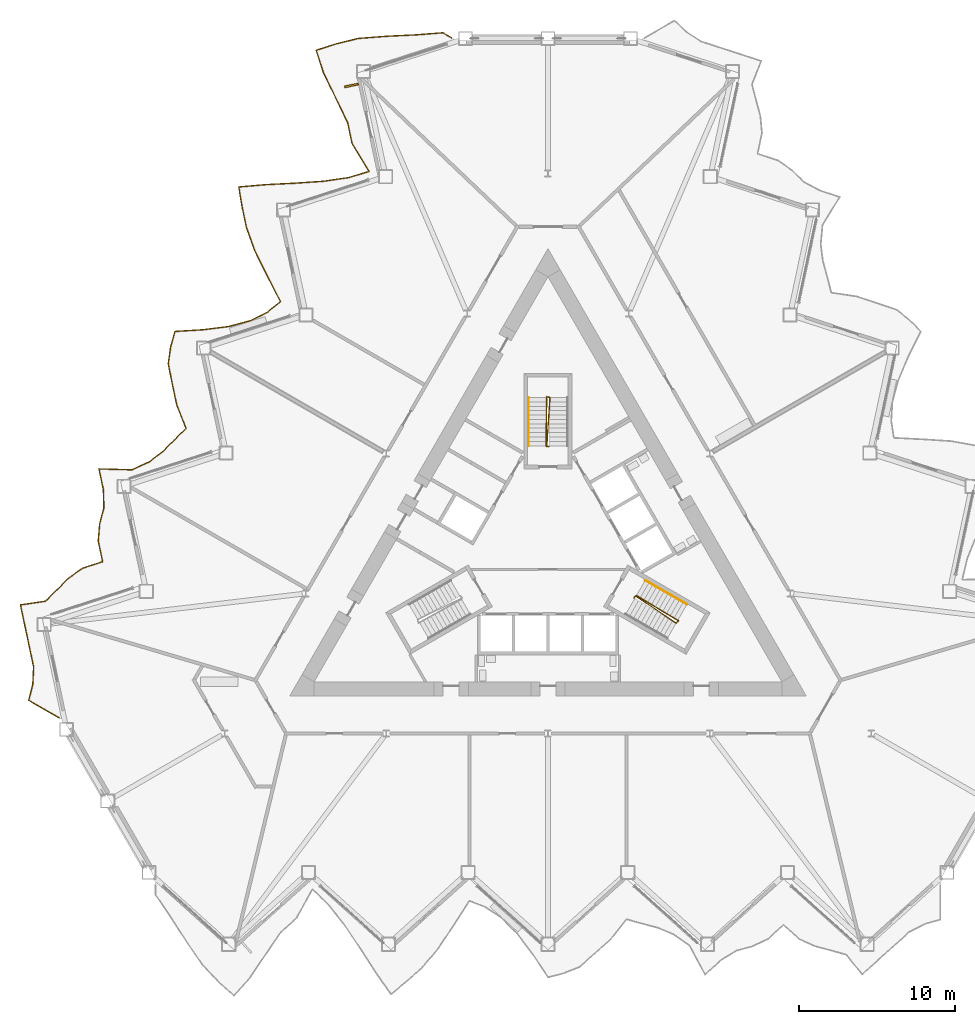
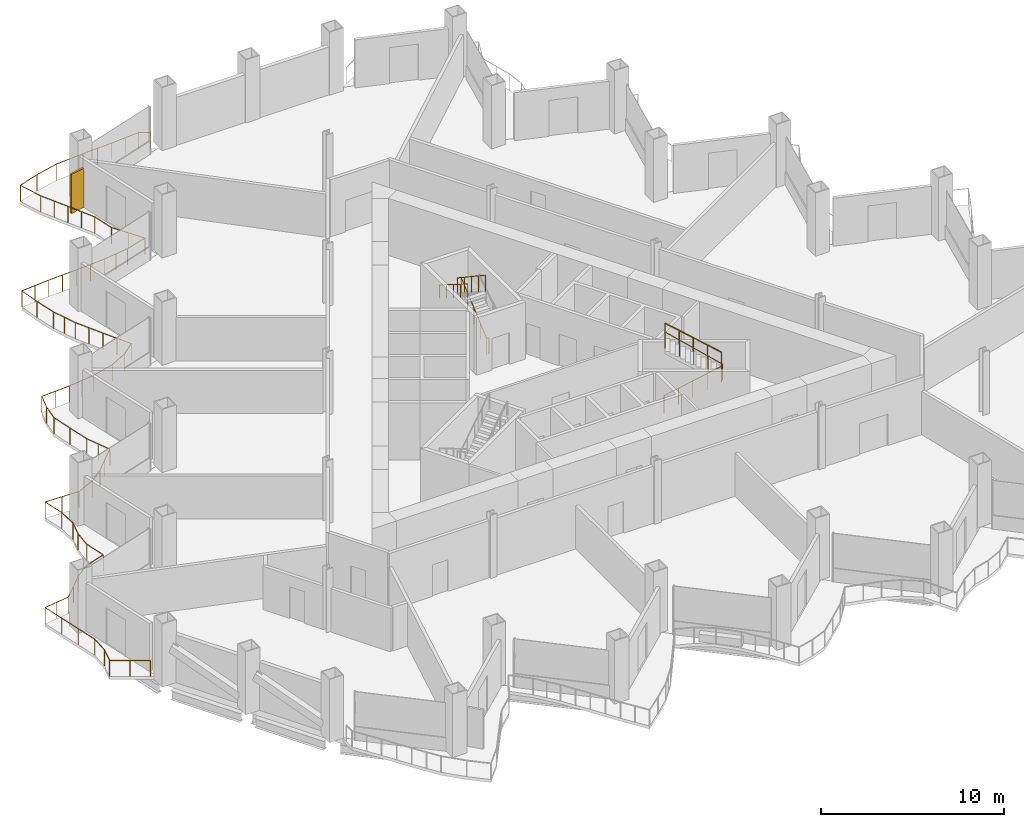
# One storey, part 18 of 21: 5 railings, 1 shading device.
"""IFC4 building model written with IfcOpenShell, lengths in metres."""

from ifc_helpers import new_model, si_unit, direction, frame, origin, origin_2d, place, context, subcontext, project, spatial, rectangle, circle, extrude, material, layer, layer_set, type_object, element, save


model = new_model("IFC4")

# Units and contexts
model_context = context("Model", 3, precision=1e-05, world=origin(), true_north=direction((0.0, 1.0)))
body_context = subcontext(model_context, "Body", "Model", "MODEL_VIEW")
ifc_project = project(units=[si_unit("LENGTHUNIT", "METRE"), si_unit("AREAUNIT", "SQUARE_METRE"), si_unit("VOLUMEUNIT", "CUBIC_METRE"), si_unit("PLANEANGLEUNIT", "RADIAN"), si_unit("MASSUNIT", "GRAM", prefix="KILO")], contexts=[model_context])

# Site, building, storey
site_placement = place(None, origin())
site = spatial("IfcSite", under=ifc_project, at=site_placement, CompositionType="ELEMENT")
building_placement = place(site_placement, origin())
building = spatial("IfcBuilding", under=site, at=building_placement, Name="Cormorant Prow Tower", CompositionType="ELEMENT")
storey_placement = place(building_placement, frame((0.0, 0.0, 120.60009765625)))
storey = spatial("IfcBuildingStorey", under=building, at=storey_placement, Name="L25", CompositionType="ELEMENT", Elevation=120.60009765625)

# Railings
ifc_material_1 = material(Name="Aluminium 6063-T6", Category="aluminium")
railing_type_1 = type_object("IfcRailingType", Name="Balcony guard 1100", PredefinedType="GUARDRAIL", material=ifc_material_1)
railing_1_placement = place(storey_placement, frame((-6.165771484375, 32.531494140625, 0.0)))
element("IfcRailing", 1, at=railing_1_placement, inside=storey, type_object=railing_type_1, Name="Balcony guard WNW", PredefinedType="GUARDRAIL", context=body_context, shape_type="SweptSolid", body=[
    extrude(circle(Radius=0.02392578125, at=origin_2d()), frame((0.0, 0.0, 1.076171875), z_axis=(-0.866038622153, 0.499977104415, 0.0), x_axis=(-0.499977104415, -0.866038622153, 0.0)), (0.0, 0.0, 1.0), 0.63623046875),
    extrude(circle(Radius=0.02392578125, at=origin_2d()), frame((-0.551025390625, 0.318115234375, 1.076171875), z_axis=(-0.997197009902, -0.074820608411, 0.0), x_axis=(0.074820608411, -0.997197009902, 0.0)), (0.0, 0.0, 1.0), 1.781494140625),
    extrude(circle(Radius=0.02392578125, at=origin_2d()), frame((-2.32763671875, 0.184814453125, 1.076171875), z_axis=(-0.998831498612, -0.048328432431, 0.0), x_axis=(0.048328432431, -0.998831498612, 0.0)), (0.0, 0.0, 1.0), 1.85400390625),
    extrude(circle(Radius=0.02392578125, at=origin_2d()), frame((-4.179443359375, 0.09521484375, 1.076171875), z_axis=(-0.99704396545, -0.076833137122, 0.0), x_axis=(0.076833137122, -0.99704396545, 0.0)), (0.0, 0.0, 1.0), 1.7763671875),
    extrude(circle(Radius=0.02392578125, at=origin_2d()), frame((-5.950439453125, -0.041259765625, 1.076171875), z_axis=(-0.971769655853, -0.235931634089, 0.0), x_axis=(0.235931634089, -0.971769655853, 0.0)), (0.0, 0.0, 1.0), 1.453857421875),
    extrude(circle(Radius=0.02392578125, at=origin_2d()), frame((-7.36328125, -0.38427734375, 1.076171875), z_axis=(-0.951024769283, -0.309114684561, 0.0), x_axis=(0.309114684561, -0.951024769283, 0.0)), (0.0, 0.0, 1.0), 1.3505859375),
    extrude(circle(Radius=0.02392578125, at=origin_2d()), frame((-8.647705078125, -0.8017578125, 1.076171875), z_axis=(0.3055170422, -0.952186608247, 0.0), x_axis=(0.952186608247, 0.3055170422, 0.0)), (0.0, 0.0, 1.0), 1.493408203125),
    extrude(circle(Radius=0.02392578125, at=origin_2d()), frame((-8.19140625, -2.223876953125, 1.076171875), z_axis=(0.437543121235, -0.899197429412, 0.0), x_axis=(0.899197429412, 0.437543121235, 0.0)), (0.0, 0.0, 1.0), 1.792236328125),
    extrude(circle(Radius=0.02392578125, at=origin_2d()), frame((-7.4072265625, -3.83544921875, 1.076171875), z_axis=(0.433168019328, -0.901313190312, 0.0), x_axis=(0.901313190312, 0.433168019328, 0.0)), (0.0, 0.0, 1.0), 1.77978515625),
    extrude(circle(Radius=0.02392578125, at=origin_2d()), frame((-6.63623046875, -5.439697265625, 1.076171875), z_axis=(0.208096604051, -0.978108277944, 0.0), x_axis=(0.978108277944, 0.208096604051, 0.0)), (0.0, 0.0, 1.0), 1.350341796875),
    extrude(circle(Radius=0.02392578125, at=origin_2d()), frame((-6.355224609375, -6.760498046875, 1.076171875), z_axis=(0.518892663885, -0.85483940209, 0.0), x_axis=(0.85483940209, 0.518892663885, 0.0)), (0.0, 0.0, 1.0), 2.087158203125),
    extrude(circle(Radius=0.02392578125, at=origin_2d()), frame((-5.272216796875, -8.544677734375, 1.076171875), z_axis=(-0.958431950317, -0.285321216546, 0.0), x_axis=(0.285321216546, -0.958431950317, 0.0)), (0.0, 0.0, 1.0), 1.3818359375),
    extrude(circle(Radius=0.02392578125, at=origin_2d()), frame((-6.5966796875, -8.93896484375, 1.076171875), z_axis=(-0.989725517262, -0.142980419921, 0.0), x_axis=(0.142980419921, -0.989725517262, 0.0)), (0.0, 0.0, 1.0), 1.6220703125),
    extrude(circle(Radius=0.02392578125, at=origin_2d()), frame((-8.2021484375, -9.1708984375, 1.076171875), z_axis=(-0.997739361196, -0.067202433888, 0.0), x_axis=(0.067202433888, -0.997739361196, 0.0)), (0.0, 0.0, 1.0), 1.802001953125),
    extrude(circle(Radius=0.02392578125, at=origin_2d()), frame((-10.0, -9.2919921875, 1.076171875), z_axis=(-0.998796334146, -0.049049800172, 0.0), x_axis=(0.049049800172, -0.998796334146, 0.0)), (0.0, 0.0, 1.0), 1.8515625),
    extrude(circle(Radius=0.02392578125, at=origin_2d()), frame((-11.849365234375, -9.3828125, 1.076171875), z_axis=(-0.996274491947, -0.0862388352, 0.0), x_axis=(0.0862388352, -0.996274491947, 0.0)), (0.0, 0.0, 1.0), 1.75244140625),
    extrude(circle(Radius=0.02392578125, at=origin_2d()), frame((-13.59521484375, -9.533935546875, 1.076171875), z_axis=(0.162018353955, -0.986787744645, 0.0), x_axis=(0.986787744645, 0.162018353955, 0.0)), (0.0, 0.0, 1.0), 1.29736328125),
    extrude(circle(Radius=0.02392578125, at=origin_2d()), frame((-13.385009765625, -10.814208984375, 1.076171875), z_axis=(0.207923627178, -0.978145063506, 0.0), x_axis=(0.978145063506, 0.207923627178, 0.0)), (0.0, 0.0, 1.0), 1.350341796875),
    extrude(circle(Radius=0.02392578125, at=origin_2d()), frame((-13.104248046875, -12.135009765625, 1.076171875), z_axis=(0.337063995154, -0.941481738097, 0.0), x_axis=(0.941481738097, 0.337063995154, 0.0)), (0.0, 0.0, 1.0), 1.551513671875),
    extrude(circle(Radius=0.02392578125, at=origin_2d()), frame((-12.581298828125, -13.595703125, 1.076171875), z_axis=(0.44375940405, -0.896145965408, 0.0), x_axis=(0.896145965408, 0.44375940405, 0.0)), (0.0, 0.0, 1.0), 1.81103515625),
    extrude(circle(Radius=0.02392578125, at=origin_2d()), frame((-11.777587890625, -15.21875, 1.076171875), z_axis=(0.456011061651, -0.889974107293, 0.0), x_axis=(0.889974107293, 0.456011061651, 0.0)), (0.0, 0.0, 1.0), 1.84912109375),
    extrude(circle(Radius=0.02392578125, at=origin_2d()), frame((-10.934326171875, -16.864501953125, 1.076171875), z_axis=(-0.778026512451, -0.628231442959, 0.0), x_axis=(0.628231442959, -0.778026512451, 0.0)), (0.0, 0.0, 1.0), 1.07568359375),
    extrude(circle(Radius=0.02392578125, at=origin_2d()), frame((-11.771240234375, -17.540283203125, 1.076171875), z_axis=(-0.894061222795, -0.447944784427, 0.0), x_axis=(0.447944784427, -0.894061222795, 0.0)), (0.0, 0.0, 1.0), 1.20166015625),
    extrude(circle(Radius=0.02392578125, at=origin_2d()), frame((-12.845703125, -18.07861328125, 1.076171875), z_axis=(-0.965785035107, -0.259343914452, 0.0), x_axis=(0.259343914452, -0.965785035107, 0.0)), (0.0, 0.0, 1.0), 1.418701171875),
    extrude(circle(Radius=0.02392578125, at=origin_2d()), frame((-14.2158203125, -18.446533203125, 1.076171875), z_axis=(-0.991847762911, -0.127428470952, 0.0), x_axis=(0.127428470952, -0.991847762911, 0.0)), (0.0, 0.0, 1.0), 1.6552734375),
    extrude(circle(Radius=0.02392578125, at=origin_2d()), frame((-15.857666015625, -18.657470703125, 1.076171875), z_axis=(-0.998158167324, -0.060665253682, 0.0), x_axis=(0.060665253682, -0.998158167324, 0.0)), (0.0, 0.0, 1.0), 1.819091796875),
    extrude(circle(Radius=0.02392578125, at=origin_2d()), frame((-17.67333984375, -18.767822265625, 1.076171875), z_axis=(-0.268554992367, -0.963264354201, 0.0), x_axis=(0.963264354201, -0.268554992367, 0.0)), (0.0, 0.0, 1.0), 1.036376953125),
    extrude(circle(Radius=0.02392578125, at=origin_2d()), frame((-17.95166015625, -19.76611328125, 1.076171875), z_axis=(-0.141073741819, -0.98999909059, 0.0), x_axis=(0.98999909059, -0.141073741819, 0.0)), (0.0, 0.0, 1.0), 1.08154296875),
    extrude(circle(Radius=0.02392578125, at=origin_2d()), frame((-18.104248046875, -20.8369140625, 1.076171875), z_axis=(0.196677999947, -0.980468135299, 0.0), x_axis=(0.980468135299, 0.196677999947, 0.0)), (0.0, 0.0, 1.0), 1.3369140625),
    extrude(circle(Radius=0.02392578125, at=origin_2d()), frame((-17.84130859375, -22.147705078125, 1.076171875), z_axis=(0.207923627178, -0.978145063506, 0.0), x_axis=(0.978145063506, 0.207923627178, 0.0)), (0.0, 0.0, 1.0), 1.350341796875),
    extrude(circle(Radius=0.02392578125, at=origin_2d()), frame((-17.560546875, -23.468505859375, 1.076171875), z_axis=(0.367686255575, -0.929949900511, 0.0), x_axis=(0.929949900511, 0.367686255575, 0.0)), (0.0, 0.0, 1.0), 1.61474609375),
    extrude(circle(Radius=0.02392578125, at=origin_2d()), frame((-16.966796875, -24.97021484375, 1.076171875), z_axis=(-0.715141961491, -0.698979237828, 0.0), x_axis=(0.698979237828, -0.715141961491, 0.0)), (0.0, 0.0, 1.0), 1.042236328125),
    extrude(circle(Radius=0.02392578125, at=origin_2d()), frame((-17.712158203125, -25.69873046875, 1.076171875), z_axis=(-0.703331850344, -0.710861666072, 0.0), x_axis=(0.710861666072, -0.703331850344, 0.0)), (0.0, 0.0, 1.0), 1.03759765625),
    extrude(circle(Radius=0.02392578125, at=origin_2d()), frame((-18.44189453125, -26.436279296875, 1.076171875), z_axis=(-0.796080060721, -0.605191322577, 0.0), x_axis=(0.605191322577, -0.796080060721, 0.0)), (0.0, 0.0, 1.0), 1.08837890625),
    extrude(circle(Radius=0.02392578125, at=origin_2d()), frame((-19.308349609375, -27.094970703125, 1.076171875), z_axis=(-0.908707369925, -0.417433726289, 0.0), x_axis=(0.417433726289, -0.908707369925, 0.0)), (0.0, 0.0, 1.0), 1.22998046875),
    extrude(circle(Radius=0.02392578125, at=origin_2d()), frame((-20.426025390625, -27.6083984375, 1.076171875), z_axis=(-0.999629367676, 0.027223652961, 0.0), x_axis=(-0.027223652961, -0.999629367676, 0.0)), (0.0, 0.0, 1.0), 2.107421875),
    extrude(circle(Radius=0.02392578125, at=origin_2d()), frame((-22.53271484375, -27.551025390625, 1.076171875), z_axis=(0.208059810937, -0.978116105109, 0.0), x_axis=(0.978116105109, 0.208059810937, 0.0)), (0.0, 0.0, 1.0), 1.3505859375),
    extrude(circle(Radius=0.02392578125, at=origin_2d()), frame((-22.251708984375, -28.8720703125, 1.076171875), z_axis=(0.029192193085, -0.999573817116, 0.0), x_axis=(0.999573817116, 0.029192193085, 0.0)), (0.0, 0.0, 1.0), 1.17919921875),
    extrude(circle(Radius=0.02392578125, at=origin_2d()), frame((-22.21728515625, -30.05078125, 1.076171875), z_axis=(-0.258422924917, -0.966031879328, 0.0), x_axis=(0.966031879328, -0.258422924917, 0.0)), (0.0, 0.0, 1.0), 1.039306640625),
    extrude(circle(Radius=0.02392578125, at=origin_2d()), frame((-22.48583984375, -31.0546875, 1.076171875), z_axis=(-0.083646627438, -0.996495480029, 0.0), x_axis=(0.996495480029, -0.083646627438, 0.0)), (0.0, 0.0, 1.0), 1.109130859375),
    extrude(circle(Radius=0.02392578125, at=origin_2d()), frame((-22.57861328125, -32.159912109375, 1.076171875), z_axis=(0.207886861883, -0.978152877957, 0.0), x_axis=(0.978152877957, 0.207886861883, 0.0)), (0.0, 0.0, 1.0), 1.3505859375),
    extrude(circle(Radius=0.02392578125, at=origin_2d()), frame((-22.2978515625, -33.48095703125, 1.076171875), z_axis=(-0.951077899841, -0.308951174839, 0.0), x_axis=(0.308951174839, -0.951077899841, 0.0)), (0.0, 0.0, 1.0), 1.3505859375),
    extrude(circle(Radius=0.02392578125, at=origin_2d()), frame((-23.582275390625, -33.898193359375, 1.076171875), z_axis=(-0.813119408245, -0.582096923146, 0.0), x_axis=(0.582096923146, -0.813119408245, 0.0)), (0.0, 0.0, 1.0), 1.102294921875),
    extrude(circle(Radius=0.02392578125, at=origin_2d()), frame((-24.478515625, -34.539794921875, 1.076171875), z_axis=(-0.705812471331, -0.708398726223, 0.0), x_axis=(0.708398726223, -0.705812471331, 0.0)), (0.0, 0.0, 1.0), 1.038330078125),
    extrude(circle(Radius=0.02392578125, at=origin_2d()), frame((-25.21142578125, -35.275390625, 1.076171875), z_axis=(-0.71201463204, -0.702164627249, 0.0), x_axis=(0.702164627249, -0.71201463204, 0.0)), (0.0, 0.0, 1.0), 1.041015625),
    extrude(circle(Radius=0.02392578125, at=origin_2d()), frame((-25.95263671875, -36.00634765625, 1.076171875), z_axis=(-0.989239139554, -0.146307637447, 0.0), x_axis=(0.146307637447, -0.989239139554, 0.0)), (0.0, 0.0, 1.0), 1.615234375),
    extrude(circle(Radius=0.02392578125, at=origin_2d()), frame((-27.550537109375, -36.24267578125, 1.076171875), z_axis=(0.207923627178, -0.978145063506, 0.0), x_axis=(0.978145063506, 0.207923627178, 0.0)), (0.0, 0.0, 1.0), 1.350341796875),
    extrude(circle(Radius=0.02392578125, at=origin_2d()), frame((-27.269775390625, -37.5634765625, 1.076171875), z_axis=(0.207886861883, -0.978152877957, 0.0), x_axis=(0.978152877957, 0.207886861883, 0.0)), (0.0, 0.0, 1.0), 1.3505859375),
    extrude(circle(Radius=0.02392578125, at=origin_2d()), frame((-26.989013671875, -38.884521484375, 1.076171875), z_axis=(0.207886861883, -0.978152877957, 0.0), x_axis=(0.978152877957, 0.207886861883, 0.0)), (0.0, 0.0, 1.0), 1.3505859375),
    extrude(circle(Radius=0.02392578125, at=origin_2d()), frame((-26.708251953125, -40.20556640625, 1.076171875), z_axis=(-0.046897714025, -0.998899696876, 0.0), x_axis=(0.998899696876, -0.046897714025, 0.0)), (0.0, 0.0, 1.0), 1.129638671875),
    extrude(circle(Radius=0.02392578125, at=origin_2d()), frame((-26.76123046875, -41.333984375, 1.076171875), z_axis=(-0.244848201654, -0.96956142567, 0.0), x_axis=(0.96956142567, -0.244848201654, 0.0)), (0.0, 0.0, 1.0), 1.04296875),
    extrude(circle(Radius=0.02392578125, at=origin_2d()), frame((-27.0166015625, -42.34521484375, 1.076171875), z_axis=(0.866019272134, -0.50001062018, 0.0), x_axis=(0.50001062018, 0.866019272134, 0.0)), (0.0, 0.0, 1.0), 2.224609375),
    extrude(circle(Radius=0.02099609375, at=origin_2d()), origin(), (0.0, 0.0, 1.0), 1.052001953125),
    extrude(circle(Radius=0.02099609375, at=origin_2d()), frame((-0.551025390625, 0.318115234375, 0.0)), (0.0, 0.0, 1.0), 1.052001953125),
    extrude(circle(Radius=0.02099609375, at=origin_2d()), frame((-1.439453125, 0.25146484375, 0.0)), (0.0, 0.0, 1.0), 1.052001953125),
    extrude(circle(Radius=0.02099609375, at=origin_2d()), frame((-2.32763671875, 0.184814453125, 0.0)), (0.0, 0.0, 1.0), 1.052001953125),
    extrude(circle(Radius=0.02099609375, at=origin_2d()), frame((-3.25341796875, 0.14013671875, 0.0)), (0.0, 0.0, 1.0), 1.052001953125),
    extrude(circle(Radius=0.02099609375, at=origin_2d()), frame((-4.179443359375, 0.09521484375, 0.0)), (0.0, 0.0, 1.0), 1.052001953125),
    extrude(circle(Radius=0.02099609375, at=origin_2d()), frame((-5.06494140625, 0.02685546875, 0.0)), (0.0, 0.0, 1.0), 1.052001953125),
    extrude(circle(Radius=0.02099609375, at=origin_2d()), frame((-5.950439453125, -0.041259765625, 0.0)), (0.0, 0.0, 1.0), 1.052001953125),
    extrude(circle(Radius=0.02099609375, at=origin_2d()), frame((-7.36328125, -0.38427734375, 0.0)), (0.0, 0.0, 1.0), 1.052001953125),
    extrude(circle(Radius=0.02099609375, at=origin_2d()), frame((-8.647705078125, -0.8017578125, 0.0)), (0.0, 0.0, 1.0), 1.052001953125),
    extrude(circle(Radius=0.02099609375, at=origin_2d()), frame((-8.19140625, -2.223876953125, 0.0)), (0.0, 0.0, 1.0), 1.052001953125),
    extrude(circle(Radius=0.02099609375, at=origin_2d()), frame((-7.79931640625, -3.02978515625, 0.0)), (0.0, 0.0, 1.0), 1.052001953125),
    extrude(circle(Radius=0.02099609375, at=origin_2d()), frame((-7.4072265625, -3.83544921875, 0.0)), (0.0, 0.0, 1.0), 1.052001953125),
    extrude(circle(Radius=0.02099609375, at=origin_2d()), frame((-7.021728515625, -4.6376953125, 0.0)), (0.0, 0.0, 1.0), 1.052001953125),
    extrude(circle(Radius=0.02099609375, at=origin_2d()), frame((-6.63623046875, -5.439697265625, 0.0)), (0.0, 0.0, 1.0), 1.052001953125),
    extrude(circle(Radius=0.02099609375, at=origin_2d()), frame((-6.355224609375, -6.760498046875, 0.0)), (0.0, 0.0, 1.0), 1.052001953125),
    extrude(circle(Radius=0.02099609375, at=origin_2d()), frame((-5.813720703125, -7.652587890625, 0.0)), (0.0, 0.0, 1.0), 1.052001953125),
    extrude(circle(Radius=0.02099609375, at=origin_2d()), frame((-5.272216796875, -8.544677734375, 0.0)), (0.0, 0.0, 1.0), 1.052001953125),
    extrude(circle(Radius=0.02099609375, at=origin_2d()), frame((-6.5966796875, -8.93896484375, 0.0)), (0.0, 0.0, 1.0), 1.052001953125),
    extrude(circle(Radius=0.02099609375, at=origin_2d()), frame((-7.3994140625, -9.054931640625, 0.0)), (0.0, 0.0, 1.0), 1.052001953125),
    extrude(circle(Radius=0.02099609375, at=origin_2d()), frame((-8.2021484375, -9.1708984375, 0.0)), (0.0, 0.0, 1.0), 1.052001953125),
    extrude(circle(Radius=0.02099609375, at=origin_2d()), frame((-9.10107421875, -9.2314453125, 0.0)), (0.0, 0.0, 1.0), 1.052001953125),
    extrude(circle(Radius=0.02099609375, at=origin_2d()), frame((-10.0, -9.2919921875, 0.0)), (0.0, 0.0, 1.0), 1.052001953125),
    extrude(circle(Radius=0.02099609375, at=origin_2d()), frame((-10.9248046875, -9.33740234375, 0.0)), (0.0, 0.0, 1.0), 1.052001953125),
    extrude(circle(Radius=0.02099609375, at=origin_2d()), frame((-11.849365234375, -9.3828125, 0.0)), (0.0, 0.0, 1.0), 1.052001953125),
    extrude(circle(Radius=0.02099609375, at=origin_2d()), frame((-12.72216796875, -9.45849609375, 0.0)), (0.0, 0.0, 1.0), 1.052001953125),
    extrude(circle(Radius=0.02099609375, at=origin_2d()), frame((-13.59521484375, -9.533935546875, 0.0)), (0.0, 0.0, 1.0), 1.052001953125),
    extrude(circle(Radius=0.02099609375, at=origin_2d()), frame((-13.385009765625, -10.814208984375, 0.0)), (0.0, 0.0, 1.0), 1.052001953125),
    extrude(circle(Radius=0.02099609375, at=origin_2d()), frame((-13.104248046875, -12.135009765625, 0.0)), (0.0, 0.0, 1.0), 1.052001953125),
    extrude(circle(Radius=0.02099609375, at=origin_2d()), frame((-12.8427734375, -12.865234375, 0.0)), (0.0, 0.0, 1.0), 1.052001953125),
    extrude(circle(Radius=0.02099609375, at=origin_2d()), frame((-12.581298828125, -13.595703125, 0.0)), (0.0, 0.0, 1.0), 1.052001953125),
    extrude(circle(Radius=0.02099609375, at=origin_2d()), frame((-12.179443359375, -14.4072265625, 0.0)), (0.0, 0.0, 1.0), 1.052001953125),
    extrude(circle(Radius=0.02099609375, at=origin_2d()), frame((-11.777587890625, -15.21875, 0.0)), (0.0, 0.0, 1.0), 1.052001953125),
    extrude(circle(Radius=0.02099609375, at=origin_2d()), frame((-11.35595703125, -16.04150390625, 0.0)), (0.0, 0.0, 1.0), 1.052001953125),
    extrude(circle(Radius=0.02099609375, at=origin_2d()), frame((-10.934326171875, -16.864501953125, 0.0)), (0.0, 0.0, 1.0), 1.052001953125),
    extrude(circle(Radius=0.02099609375, at=origin_2d()), frame((-11.771240234375, -17.540283203125, 0.0)), (0.0, 0.0, 1.0), 1.052001953125),
    extrude(circle(Radius=0.02099609375, at=origin_2d()), frame((-12.845703125, -18.07861328125, 0.0)), (0.0, 0.0, 1.0), 1.052001953125),
    extrude(circle(Radius=0.02099609375, at=origin_2d()), frame((-14.2158203125, -18.446533203125, 0.0)), (0.0, 0.0, 1.0), 1.052001953125),
    extrude(circle(Radius=0.02099609375, at=origin_2d()), frame((-15.03662109375, -18.552001953125, 0.0)), (0.0, 0.0, 1.0), 1.052001953125),
    extrude(circle(Radius=0.02099609375, at=origin_2d()), frame((-15.857666015625, -18.657470703125, 0.0)), (0.0, 0.0, 1.0), 1.052001953125),
    extrude(circle(Radius=0.02099609375, at=origin_2d()), frame((-16.765625, -18.712646484375, 0.0)), (0.0, 0.0, 1.0), 1.052001953125),
    extrude(circle(Radius=0.02099609375, at=origin_2d()), frame((-17.67333984375, -18.767822265625, 0.0)), (0.0, 0.0, 1.0), 1.052001953125),
    extrude(circle(Radius=0.02099609375, at=origin_2d()), frame((-17.95166015625, -19.76611328125, 0.0)), (0.0, 0.0, 1.0), 1.052001953125),
    extrude(circle(Radius=0.02099609375, at=origin_2d()), frame((-18.104248046875, -20.8369140625, 0.0)), (0.0, 0.0, 1.0), 1.052001953125),
    extrude(circle(Radius=0.02099609375, at=origin_2d()), frame((-17.84130859375, -22.147705078125, 0.0)), (0.0, 0.0, 1.0), 1.052001953125),
    extrude(circle(Radius=0.02099609375, at=origin_2d()), frame((-17.560546875, -23.468505859375, 0.0)), (0.0, 0.0, 1.0), 1.052001953125),
    extrude(circle(Radius=0.02099609375, at=origin_2d()), frame((-17.263671875, -24.21923828125, 0.0)), (0.0, 0.0, 1.0), 1.052001953125),
    extrude(circle(Radius=0.02099609375, at=origin_2d()), frame((-16.966796875, -24.97021484375, 0.0)), (0.0, 0.0, 1.0), 1.052001953125),
    extrude(circle(Radius=0.02099609375, at=origin_2d()), frame((-17.712158203125, -25.69873046875, 0.0)), (0.0, 0.0, 1.0), 1.052001953125),
    extrude(circle(Radius=0.02099609375, at=origin_2d()), frame((-18.44189453125, -26.436279296875, 0.0)), (0.0, 0.0, 1.0), 1.052001953125),
    extrude(circle(Radius=0.02099609375, at=origin_2d()), frame((-19.308349609375, -27.094970703125, 0.0)), (0.0, 0.0, 1.0), 1.052001953125),
    extrude(circle(Radius=0.02099609375, at=origin_2d()), frame((-20.426025390625, -27.6083984375, 0.0)), (0.0, 0.0, 1.0), 1.052001953125),
    extrude(circle(Radius=0.02099609375, at=origin_2d()), frame((-21.4794921875, -27.57958984375, 0.0)), (0.0, 0.0, 1.0), 1.052001953125),
    extrude(circle(Radius=0.02099609375, at=origin_2d()), frame((-22.53271484375, -27.551025390625, 0.0)), (0.0, 0.0, 1.0), 1.052001953125),
    extrude(circle(Radius=0.02099609375, at=origin_2d()), frame((-22.251708984375, -28.8720703125, 0.0)), (0.0, 0.0, 1.0), 1.052001953125),
    extrude(circle(Radius=0.02099609375, at=origin_2d()), frame((-22.21728515625, -30.05078125, 0.0)), (0.0, 0.0, 1.0), 1.052001953125),
    extrude(circle(Radius=0.02099609375, at=origin_2d()), frame((-22.48583984375, -31.0546875, 0.0)), (0.0, 0.0, 1.0), 1.052001953125),
    extrude(circle(Radius=0.02099609375, at=origin_2d()), frame((-22.57861328125, -32.159912109375, 0.0)), (0.0, 0.0, 1.0), 1.052001953125),
    extrude(circle(Radius=0.02099609375, at=origin_2d()), frame((-22.2978515625, -33.48095703125, 0.0)), (0.0, 0.0, 1.0), 1.052001953125),
    extrude(circle(Radius=0.02099609375, at=origin_2d()), frame((-23.582275390625, -33.898193359375, 0.0)), (0.0, 0.0, 1.0), 1.052001953125),
    extrude(circle(Radius=0.02099609375, at=origin_2d()), frame((-24.478515625, -34.539794921875, 0.0)), (0.0, 0.0, 1.0), 1.052001953125),
    extrude(circle(Radius=0.02099609375, at=origin_2d()), frame((-25.21142578125, -35.275390625, 0.0)), (0.0, 0.0, 1.0), 1.052001953125),
    extrude(circle(Radius=0.02099609375, at=origin_2d()), frame((-25.95263671875, -36.00634765625, 0.0)), (0.0, 0.0, 1.0), 1.052001953125),
    extrude(circle(Radius=0.02099609375, at=origin_2d()), frame((-26.75146484375, -36.12451171875, 0.0)), (0.0, 0.0, 1.0), 1.052001953125),
    extrude(circle(Radius=0.02099609375, at=origin_2d()), frame((-27.550537109375, -36.24267578125, 0.0)), (0.0, 0.0, 1.0), 1.052001953125),
    extrude(circle(Radius=0.02099609375, at=origin_2d()), frame((-27.269775390625, -37.5634765625, 0.0)), (0.0, 0.0, 1.0), 1.052001953125),
    extrude(circle(Radius=0.02099609375, at=origin_2d()), frame((-26.989013671875, -38.884521484375, 0.0)), (0.0, 0.0, 1.0), 1.052001953125),
    extrude(circle(Radius=0.02099609375, at=origin_2d()), frame((-26.708251953125, -40.20556640625, 0.0)), (0.0, 0.0, 1.0), 1.052001953125),
    extrude(circle(Radius=0.02099609375, at=origin_2d()), frame((-26.76123046875, -41.333984375, 0.0)), (0.0, 0.0, 1.0), 1.052001953125),
    extrude(circle(Radius=0.02099609375, at=origin_2d()), frame((-27.0166015625, -42.34521484375, 0.0)), (0.0, 0.0, 1.0), 1.052001953125),
    extrude(circle(Radius=0.02099609375, at=origin_2d()), frame((-26.05322265625, -42.9013671875, 0.0)), (0.0, 0.0, 1.0), 1.052001953125),
    extrude(circle(Radius=0.02099609375, at=origin_2d()), frame((-25.090087890625, -43.45751953125, 0.0)), (0.0, 0.0, 1.0), 1.052001953125),
])
ifc_material_2 = material(Name="Stainless steel", Category="steel")
railing_type_2 = type_object("IfcRailingType", Name="Stair guard 1100", PredefinedType="GUARDRAIL", material=ifc_material_2)
railing_2_placement = place(storey_placement, frame((5.510009765625, -3.267822265625, 0.0)))
element("IfcRailing", 2, at=railing_2_placement, inside=storey, type_object=railing_type_2, Name="L25 ST2 stair guard 1", PredefinedType="GUARDRAIL", context=body_context, shape_type="SweptSolid", body=[
    extrude(circle(Radius=0.02392578125, at=origin_2d()), frame((0.0, 0.0, 1.076171875), z_axis=(0.501036270542, 0.865426285481, 0.0), x_axis=(-0.865426285481, 0.501036270542, 0.0)), (0.0, 0.0, 1.0), 0.150146484375),
    extrude(circle(Radius=0.02392578125, at=origin_2d()), frame((0.0751953125, 0.1298828125, 1.076171875), z_axis=(0.691655524431, -0.460543096787, 0.55633864824), x_axis=(0.554233058506, 0.832361530141, 0.0)), (0.0, 0.0, 1.0), 3.7744140625),
    extrude(circle(Radius=0.02392578125, at=origin_2d()), frame((2.685791015625, -1.6083984375, 3.17578125), z_axis=(0.695164929852, 0.718850276695, 0.0), x_axis=(-0.718850276695, 0.695164929852, 0.0)), (0.0, 0.0, 1.0), 0.2060546875),
    extrude(circle(Radius=0.02392578125, at=origin_2d()), frame((2.8291015625, -1.460205078125, 3.17578125), z_axis=(-0.712463317363, 0.426661970256, 0.557095669117), x_axis=(-0.513773053629, -0.857926132814, 0.0)), (0.0, 0.0, 1.0), 3.769775390625),
    extrude(circle(Radius=0.02099609375, at=origin_2d()), origin(), (0.0, 0.0, 1.0), 1.052001953125),
    extrude(circle(Radius=0.02099609375, at=origin_2d()), frame((0.0751953125, 0.1298828125, 0.0)), (0.0, 0.0, 1.0), 1.052001953125),
    extrude(circle(Radius=0.02099609375, at=origin_2d()), frame((0.727783203125, -0.3046875, 0.52490234375)), (0.0, 0.0, 1.0), 1.052001953125),
    extrude(circle(Radius=0.02099609375, at=origin_2d()), frame((1.38037109375, -0.7392578125, 1.0498046875)), (0.0, 0.0, 1.0), 1.052001953125),
    extrude(circle(Radius=0.02099609375, at=origin_2d()), frame((2.033203125, -1.173828125, 1.574951171875)), (0.0, 0.0, 1.0), 1.052001953125),
    extrude(circle(Radius=0.02099609375, at=origin_2d()), frame((2.685791015625, -1.6083984375, 2.099853515625)), (0.0, 0.0, 1.0), 1.052001953125),
    extrude(circle(Radius=0.02099609375, at=origin_2d()), frame((2.8291015625, -1.460205078125, 2.099853515625)), (0.0, 0.0, 1.0), 1.052001953125),
    extrude(circle(Radius=0.02099609375, at=origin_2d()), frame((2.15771484375, -1.05810546875, 2.625)), (0.0, 0.0, 1.0), 1.052001953125),
    extrude(circle(Radius=0.02099609375, at=origin_2d()), frame((1.486328125, -0.656005859375, 3.14990234375)), (0.0, 0.0, 1.0), 1.052001953125),
    extrude(circle(Radius=0.02099609375, at=origin_2d()), frame((0.814697265625, -0.25390625, 3.6748046875)), (0.0, 0.0, 1.0), 1.052001953125),
    extrude(circle(Radius=0.02099609375, at=origin_2d()), frame((0.143310546875, 0.148193359375, 4.199951171875)), (0.0, 0.0, 1.0), 1.052001953125),
])
railing_3_placement = place(storey_placement, frame((0.074951171875, 6.40576171875, 0.0)))
element("IfcRailing", 3, at=railing_3_placement, inside=storey, type_object=railing_type_2, Name="L25 ST3 stair guard 1", PredefinedType="GUARDRAIL", context=body_context, shape_type="SweptSolid", body=[
    extrude(circle(Radius=0.02392578125, at=origin_2d()), frame((0.0, 0.0, 1.076171875), z_axis=(-1.0, 0.0, 0.0), x_axis=(0.0, -1.0, 0.0)), (0.0, 0.0, 1.0), 0.14990234375),
    extrude(circle(Radius=0.02392578125, at=origin_2d()), frame((-0.14990234375, 0.0, 1.076171875), z_axis=(0.052973824345, 0.829276437025, 0.556322177276), x_axis=(-0.997965923181, 0.063749636618, 0.0)), (0.0, 0.0, 1.0), 3.7744140625),
    extrude(circle(Radius=0.02392578125, at=origin_2d()), frame((0.050048828125, 3.130126953125, 3.17578125), z_axis=(-0.970072785993, 0.242814311512, 0.0), x_axis=(-0.242814311512, -0.970072785993, 0.0)), (0.0, 0.0, 1.0), 0.2060546875),
    extrude(circle(Radius=0.02392578125, at=origin_2d()), frame((-0.14990234375, 3.18017578125, 3.17578125), z_axis=(-0.013276620939, -0.830339302729, 0.557099967403), x_axis=(0.999872194171, -0.015987348866, 0.0)), (0.0, 0.0, 1.0), 3.769775390625),
    extrude(circle(Radius=0.02099609375, at=origin_2d()), origin(), (0.0, 0.0, 1.0), 1.052001953125),
    extrude(circle(Radius=0.02099609375, at=origin_2d()), frame((-0.14990234375, 0.0, 0.0)), (0.0, 0.0, 1.0), 1.052001953125),
    extrude(circle(Radius=0.02099609375, at=origin_2d()), frame((-0.099853515625, 0.782470703125, 0.52490234375)), (0.0, 0.0, 1.0), 1.052001953125),
    extrude(circle(Radius=0.02099609375, at=origin_2d()), frame((-0.0498046875, 1.56494140625, 1.0498046875)), (0.0, 0.0, 1.0), 1.052001953125),
    extrude(circle(Radius=0.02099609375, at=origin_2d()), frame((0.0, 2.34765625, 1.574951171875)), (0.0, 0.0, 1.0), 1.052001953125),
    extrude(circle(Radius=0.02099609375, at=origin_2d()), frame((0.050048828125, 3.130126953125, 2.099853515625)), (0.0, 0.0, 1.0), 1.052001953125),
    extrude(circle(Radius=0.02099609375, at=origin_2d()), frame((-0.14990234375, 3.18017578125, 2.099853515625)), (0.0, 0.0, 1.0), 1.052001953125),
    extrude(circle(Radius=0.02099609375, at=origin_2d()), frame((-0.162353515625, 2.397705078125, 2.625)), (0.0, 0.0, 1.0), 1.052001953125),
    extrude(circle(Radius=0.02099609375, at=origin_2d()), frame((-0.1748046875, 1.615234375, 3.14990234375)), (0.0, 0.0, 1.0), 1.052001953125),
    extrude(circle(Radius=0.02099609375, at=origin_2d()), frame((-0.1875, 0.83251953125, 3.6748046875)), (0.0, 0.0, 1.0), 1.052001953125),
    extrude(circle(Radius=0.02099609375, at=origin_2d()), frame((-0.199951171875, 0.050048828125, 4.199951171875)), (0.0, 0.0, 1.0), 1.052001953125),
])
ifc_material_3 = material(Name="Stainless steel", Category="steel")
railing_type_3 = type_object("IfcRailingType", Name="Stair handrail 900", PredefinedType="HANDRAIL", material=ifc_material_3)
railing_4_placement = place(storey_placement, frame((8.88037109375, -3.690673828125, 2.27490234375)))
element("IfcRailing", 4, at=railing_4_placement, inside=storey, type_object=railing_type_3, Name="L25 ST2 stair handrail 2", PredefinedType="HANDRAIL", context=body_context, shape_type="SweptSolid", body=[
    extrude(circle(Radius=0.02392578125, at=origin_2d()), frame((0.0, 0.0, 0.8759765625), z_axis=(-0.734394994316, 0.423994474112, 0.52999309264), x_axis=(-0.499992328818, -0.866029832698, 0.0)), (0.0, 0.0, 1.0), 3.63232421875),
    extrude(circle(Radius=0.02099609375, at=origin_2d()), origin(), (0.0, 0.0, 1.0), 0.851806640625),
    extrude(circle(Radius=0.02099609375, at=origin_2d()), frame((-0.6669921875, 0.385009765625, 0.481201171875)), (0.0, 0.0, 1.0), 0.851806640625),
    extrude(circle(Radius=0.02099609375, at=origin_2d()), frame((-1.333740234375, 0.77001953125, 0.96240234375)), (0.0, 0.0, 1.0), 0.851806640625),
    extrude(circle(Radius=0.02099609375, at=origin_2d()), frame((-2.00048828125, 1.155029296875, 1.44384765625)), (0.0, 0.0, 1.0), 0.851806640625),
    extrude(circle(Radius=0.02099609375, at=origin_2d()), frame((-2.66748046875, 1.5400390625, 1.925048828125)), (0.0, 0.0, 1.0), 0.851806640625),
])
railing_5_placement = place(storey_placement, frame((-1.243896484375, 9.535888671875, 2.27490234375)))
element("IfcRailing", 5, at=railing_5_placement, inside=storey, type_object=railing_type_3, Name="L25 ST3 stair handrail 2", PredefinedType="HANDRAIL", context=body_context, shape_type="SweptSolid", body=[
    extrude(circle(Radius=0.02392578125, at=origin_2d()), frame((0.0, 0.0, 0.8759765625), z_axis=(0.0, -0.847998304005, 0.529998940003), x_axis=(1.0, 0.0, 0.0)), (0.0, 0.0, 1.0), 3.632080078125),
    extrude(circle(Radius=0.02099609375, at=origin_2d()), origin(), (0.0, 0.0, 1.0), 0.851806640625),
    extrude(circle(Radius=0.02099609375, at=origin_2d()), frame((0.0, -0.77001953125, 0.481201171875)), (0.0, 0.0, 1.0), 0.851806640625),
    extrude(circle(Radius=0.02099609375, at=origin_2d()), frame((0.0, -1.5400390625, 0.96240234375)), (0.0, 0.0, 1.0), 0.851806640625),
    extrude(circle(Radius=0.02099609375, at=origin_2d()), frame((0.0, -2.31005859375, 1.44384765625)), (0.0, 0.0, 1.0), 0.851806640625),
    extrude(circle(Radius=0.02099609375, at=origin_2d()), frame((0.0, -3.080078125, 1.925048828125)), (0.0, 0.0, 1.0), 0.851806640625),
])

# Shading device
ifc_material_4 = material(Name="Terracotta", Category="masonry")
ifc_layer = layer(ifc_material_4, 0.1201171875)
ifc_layer_set = layer_set([ifc_layer], Name="Terracotta")
shading_device_type = type_object("IfcShadingDeviceType", Name="Terracotta baguette fin 120x900x2600", PredefinedType="USERDEFINED", material=ifc_layer_set)
shading_device_placement = place(storey_placement, frame((-12.55419921875, 29.48046875, -0.000244140625), z_axis=(0.0, 0.0, 1.0), x_axis=(0.207911647216, -0.978147610002, 0.0)))
element("IfcShadingDevice", 6, at=shading_device_placement, inside=storey, type_object=shading_device_type, Name="Baguette fin WNW01", ObjectType="BAGUETTE", PredefinedType="USERDEFINED", context=body_context, shape_type="SweptSolid", body=[
    extrude(rectangle(XDim=0.1201171875, YDim=0.89990234375, at=origin_2d()), origin(), (0.0, 0.0, 1.0), 2.60009765625),
])

save(model, "model.ifc")
